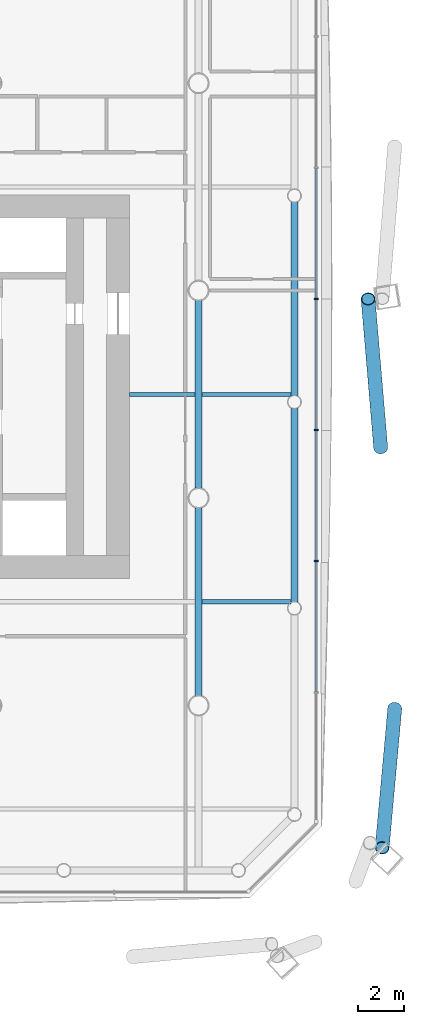
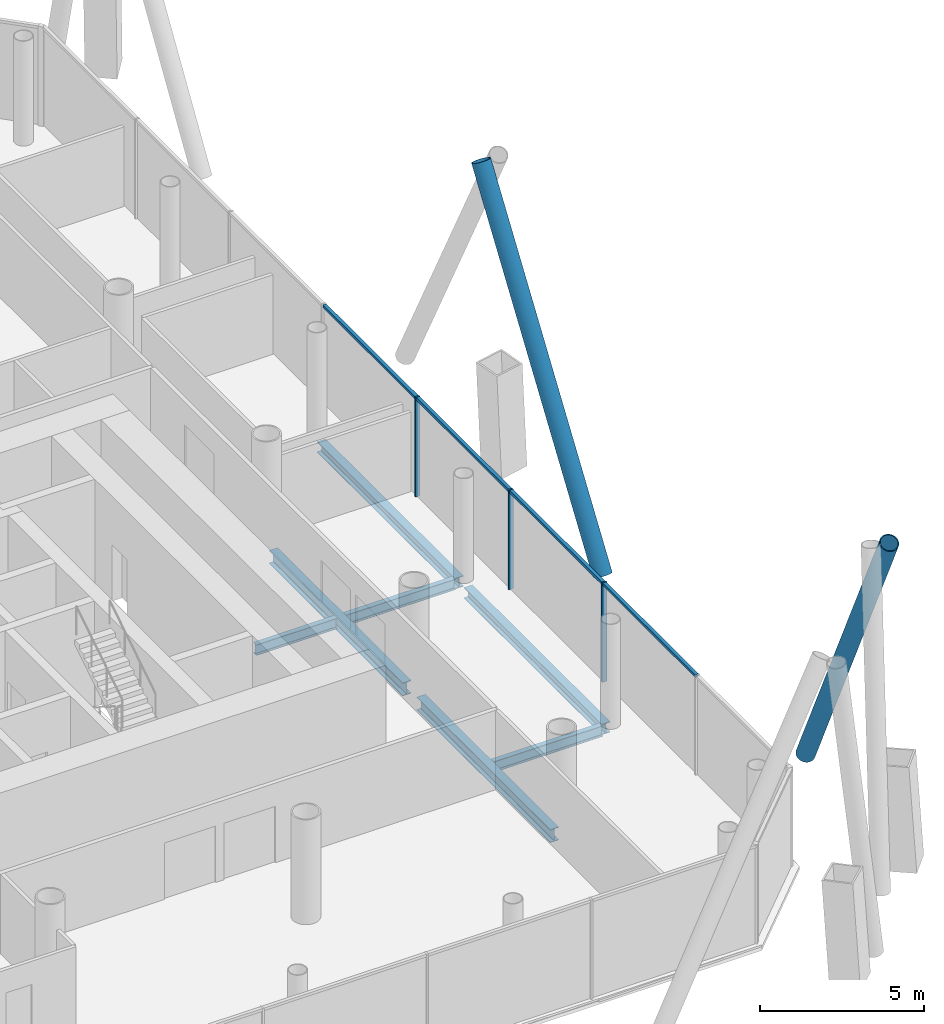
# One storey, part 6 of 21: 9 members, 7 beams, 1 element without a shape of its own.
"""IFC4 building model written with IfcOpenShell, lengths in metres."""

from ifc_helpers import new_model, si_unit, direction, frame, origin, origin_2d, place, context, subcontext, project, spatial, rectangle, hollow_circle, i_section, extrude, material, material_profile, profile_set, type_object, element, aggregate, save


model = new_model("IFC4")

# Units and contexts
model_context = context("Model", 3, precision=1e-05, world=origin(), true_north=direction((0.0, 1.0)))
body_context = subcontext(model_context, "Body", "Model", "MODEL_VIEW")
ifc_project = project(units=[si_unit("LENGTHUNIT", "METRE"), si_unit("AREAUNIT", "SQUARE_METRE"), si_unit("VOLUMEUNIT", "CUBIC_METRE"), si_unit("PLANEANGLEUNIT", "RADIAN"), si_unit("MASSUNIT", "GRAM", prefix="KILO")], contexts=[model_context])

# Site, building, storey
site_placement = place(None, origin())
site = spatial("IfcSite", under=ifc_project, at=site_placement, CompositionType="ELEMENT")
building_placement = place(site_placement, origin())
building = spatial("IfcBuilding", under=site, at=building_placement, Name="Tskaro Facet Tower", CompositionType="ELEMENT")
storey_placement = place(building_placement, frame((0.0, 0.0, 45.89990234375)))
storey = spatial("IfcBuildingStorey", under=building, at=storey_placement, Name="L10", CompositionType="ELEMENT", Elevation=45.89990234375)

# Members
ifc_material_1 = material(Name="Steel S355J2H", Category="steel")
ifc_material_profile_1 = material_profile(ifc_material_1, hollow_circle(Radius=0.304931640625, WallThickness=0.030029296875, at=origin_2d()), Name="CHS 610x30")
ifc_profile_set_1 = profile_set([ifc_material_profile_1], Name="Steel S355J2H")
member_type_1 = type_object("IfcMemberType", Name="CHS 610x30 brace", PredefinedType="BRACE", material=ifc_profile_set_1)
member_1_placement = place(storey_placement, frame((25.90185546875, -6.813720703125, 0.0), z_axis=(-0.040962973877, 0.482702280855, 0.874826007174), x_axis=(-0.996418571537, -0.084557851777, 0.0)))
element("IfcMember", 1, at=member_1_placement, inside=storey, type_object=member_type_1, Name="CHS 610x30 XB04A/1", PredefinedType="BRACE", context=body_context, shape_type="SweptSolid", body=[
    extrude(hollow_circle(Radius=0.304931640625, WallThickness=0.030029296875, at=origin_2d()), origin(), (0.0, 0.0, 1.0), 13.374267578125),
])
member_2_placement = place(storey_placement, frame((26.51171875, -18.135009765625, 0.0), z_axis=(-0.041545597616, -0.458613016926, 0.887664387043), x_axis=(0.995921840111, -0.090220221622, 0.0)))
element("IfcMember", 2, at=member_2_placement, inside=storey, type_object=member_type_1, Name="CHS 610x30 XB04B/1", PredefinedType="BRACE", context=body_context, shape_type="SweptSolid", body=[
    extrude(hollow_circle(Radius=0.304931640625, WallThickness=0.030029296875, at=origin_2d()), origin(), (0.0, 0.0, 1.0), 13.180908203125),
])

# Curtain wall, members
ifc_material_2 = material(Name="Bronze anodised aluminium 6063-T6", Category="aluminium")
curtain_wall_type = type_object("IfcCurtainWallType", Name="Bronze office curtain wall (FW1)", PredefinedType="NOTDEFINED", material=ifc_material_2)
curtain_wall_placement = place(storey_placement, origin())
curtain_wall = element("IfcCurtainWall", 3, at=curtain_wall_placement, inside=storey, type_object=curtain_wall_type, Name="FW1 east facet L10", PredefinedType="NOTDEFINED")
ifc_material_profile_2 = material_profile(ifc_material_2, rectangle(XDim=0.06005859375, YDim=0.159912109375, at=origin_2d()), Name="Mullion 60x160")
ifc_profile_set_2 = profile_set([ifc_material_profile_2], Name="Bronze anodised aluminium 6063-T6")
member_type_2 = type_object("IfcMemberType", Name="FW1 bronze mullion 60x160", PredefinedType="MULLION", material=ifc_profile_set_2)
member_3_placement = place(storey_placement, frame((23.10693359375, -11.740234375, 0.0), z_axis=(0.0, 0.0, 1.0), x_axis=(0.0, 1.0, 0.0)))
member_3 = element("IfcMember", 4, at=member_3_placement, type_object=member_type_2, Name="FW1 east mullion 2", PredefinedType="MULLION", context=body_context, shape_type="SweptSolid", body=[
    extrude(rectangle(XDim=0.06005859375, YDim=0.159912109375, at=origin_2d()), origin(), (0.0, 0.0, 1.0), 3.7001953125),
])
member_4_placement = place(storey_placement, frame((23.10693359375, -6.04931640625, 0.0), z_axis=(0.0, 0.0, 1.0), x_axis=(0.0, 1.0, 0.0)))
member_4 = element("IfcMember", 5, at=member_4_placement, type_object=member_type_2, Name="FW1 east mullion 3", PredefinedType="MULLION", context=body_context, shape_type="SweptSolid", body=[
    extrude(rectangle(XDim=0.06005859375, YDim=0.159912109375, at=origin_2d()), origin(), (0.0, 0.0, 1.0), 3.7001953125),
])
member_5_placement = place(storey_placement, frame((23.10693359375, -0.3583984375, 0.0), z_axis=(0.0, 0.0, 1.0), x_axis=(0.0, 1.0, 0.0)))
member_5 = element("IfcMember", 6, at=member_5_placement, type_object=member_type_2, Name="FW1 east mullion 4", PredefinedType="MULLION", context=body_context, shape_type="SweptSolid", body=[
    extrude(rectangle(XDim=0.06005859375, YDim=0.159912109375, at=origin_2d()), origin(), (0.0, 0.0, 1.0), 3.7001953125),
])
ifc_material_profile_3 = material_profile(ifc_material_2, rectangle(XDim=0.1201171875, YDim=0.10009765625, at=origin_2d()), Name="Transom 120x100")
ifc_profile_set_3 = profile_set([ifc_material_profile_3], Name="Bronze anodised aluminium 6063-T6")
member_type_3 = type_object("IfcMemberType", Name="FW1 bronze transom 120x100", PredefinedType="USERDEFINED", material=ifc_profile_set_3)
member_6_placement = place(storey_placement, frame((23.10693359375, -17.401123046875, 3.650146484375), z_axis=(0.0, 1.0, 0.0), x_axis=(-1.0, 0.0, 0.0)))
member_6 = element("IfcMember", 7, at=member_6_placement, type_object=member_type_3, Name="FW1 east transom 2.1", ObjectType="TRANSOM", PredefinedType="USERDEFINED", context=body_context, shape_type="SweptSolid", body=[
    extrude(rectangle(XDim=0.1201171875, YDim=0.10009765625, at=origin_2d()), origin(), (0.0, 0.0, 1.0), 5.630859375),
])
member_7_placement = place(storey_placement, frame((23.10693359375, -11.710205078125, 3.650146484375), z_axis=(0.0, 1.0, 0.0), x_axis=(-1.0, 0.0, 0.0)))
member_7 = element("IfcMember", 8, at=member_7_placement, type_object=member_type_3, Name="FW1 east transom 3.1", ObjectType="TRANSOM", PredefinedType="USERDEFINED", context=body_context, shape_type="SweptSolid", body=[
    extrude(rectangle(XDim=0.1201171875, YDim=0.10009765625, at=origin_2d()), origin(), (0.0, 0.0, 1.0), 5.630859375),
])
member_8_placement = place(storey_placement, frame((23.10693359375, -6.019287109375, 3.650146484375), z_axis=(0.0, 1.0, 0.0), x_axis=(-1.0, 0.0, 0.0)))
member_8 = element("IfcMember", 9, at=member_8_placement, type_object=member_type_3, Name="FW1 east transom 4.1", ObjectType="TRANSOM", PredefinedType="USERDEFINED", context=body_context, shape_type="SweptSolid", body=[
    extrude(rectangle(XDim=0.1201171875, YDim=0.10009765625, at=origin_2d()), origin(), (0.0, 0.0, 1.0), 5.630859375),
])
member_9_placement = place(storey_placement, frame((23.10693359375, -0.32861328125, 3.650146484375), z_axis=(0.0, 1.0, 0.0), x_axis=(-1.0, 0.0, 0.0)))
member_9 = element("IfcMember", 10, at=member_9_placement, type_object=member_type_3, Name="FW1 east transom 5.1", ObjectType="TRANSOM", PredefinedType="USERDEFINED", context=body_context, shape_type="SweptSolid", body=[
    extrude(rectangle(XDim=0.1201171875, YDim=0.10009765625, at=origin_2d()), origin(), (0.0, 0.0, 1.0), 5.631103515625),
])
aggregate(curtain_wall, [member_3, member_4, member_5, member_6, member_7, member_8, member_9])

# Beams
ifc_material_3 = material(Name="Steel S355J2", Category="steel")
ifc_material_profile_4 = material_profile(ifc_material_3, i_section(OverallWidth=0.300048828125, OverallDepth=0.39990234375, WebThickness=0.013427734375, FlangeThickness=0.02392578125, FilletRadius=0.027099609375, at=origin_2d()), Name="HE 400 B")
ifc_profile_set_4 = profile_set([ifc_material_profile_4], Name="Steel S355J2")
beam_type_1 = type_object("IfcBeamType", Name="HE 400 B ring beam", PredefinedType="BEAM", material=ifc_profile_set_4)
beam_1_placement = place(storey_placement, frame((22.156982421875, -13.506103515625, -0.33984375), z_axis=(0.0, 1.0, 0.0), x_axis=(-1.0, 0.0, 0.0)))
element("IfcBeam", 11, at=beam_1_placement, inside=storey, type_object=beam_type_1, Name="HE 400 B EB9-1", PredefinedType="BEAM", context=body_context, shape_type="SweptSolid", body=[
    extrude(i_section(OverallWidth=0.300048828125, OverallDepth=0.39990234375, WebThickness=0.013427734375, FlangeThickness=0.02392578125, FilletRadius=0.027099609375, at=origin_2d()), origin(), (0.0, 0.0, 1.0), 8.398193359375),
])
beam_2_placement = place(storey_placement, frame((22.156982421875, -4.55810546875, -0.33984375), z_axis=(0.0, 1.0, 0.0), x_axis=(-1.0, 0.0, 0.0)))
element("IfcBeam", 12, at=beam_2_placement, inside=storey, type_object=beam_type_1, Name="HE 400 B EB10-1", PredefinedType="BEAM", context=body_context, shape_type="SweptSolid", body=[
    extrude(i_section(OverallWidth=0.300048828125, OverallDepth=0.39990234375, WebThickness=0.013427734375, FlangeThickness=0.02392578125, FilletRadius=0.027099609375, at=origin_2d()), origin(), (0.0, 0.0, 1.0), 8.399169921875),
])
ifc_material_profile_5 = material_profile(ifc_material_3, i_section(OverallWidth=0.300048828125, OverallDepth=0.489990234375, WebThickness=0.011962890625, FlangeThickness=0.02294921875, FilletRadius=0.027099609375, at=origin_2d()), Name="HE 500 A")
ifc_profile_set_5 = profile_set([ifc_material_profile_5], Name="Steel S355J2")
beam_type_2 = type_object("IfcBeamType", Name="HE 500 A girder", PredefinedType="BEAM", material=ifc_profile_set_5)
for number, where, z_axis, x_axis, name in (
    (13, (18.0, -17.57275390625, -0.385009765625), (0.0, 1.0, 0.0), (-1.0, 0.0, 0.0), "HE 500 A GB6-2-1"),
    (14, (18.0, -8.57275390625, -0.385009765625), (0.0, 1.0, 0.0), (-1.0, 0.0, 0.0), "HE 500 A GB6-3-1"),
):
    element("IfcBeam", number, at=place(storey_placement, frame(where, z_axis=z_axis, x_axis=x_axis)), inside=storey, type_object=beam_type_2, Name=name, PredefinedType="BEAM", context=body_context, shape_type="SweptSolid", body=[
        extrude(i_section(OverallWidth=0.300048828125, OverallDepth=0.489990234375, WebThickness=0.011962890625, FlangeThickness=0.02294921875, FilletRadius=0.027099609375, at=origin_2d()), origin(), (0.0, 0.0, 1.0), 8.1455078125),
    ])
ifc_material_profile_6 = material_profile(ifc_material_3, i_section(OverallWidth=0.179931640625, OverallDepth=0.39990234375, WebThickness=0.008544921875, FlangeThickness=0.013427734375, FilletRadius=0.02099609375, at=origin_2d()), Name="IPE 400")
ifc_profile_set_6 = profile_set([ifc_material_profile_6], Name="Steel S355J2")
beam_type_3 = type_object("IfcBeamType", Name="IPE 400 secondary beam", PredefinedType="BEAM", material=ifc_profile_set_6)
beam_3_placement = place(storey_placement, frame((18.14990234375, -13.5, -0.33984375), z_axis=(1.0, 0.0, 0.0), x_axis=(0.0, 1.0, 0.0)))
element("IfcBeam", 15, at=beam_3_placement, inside=storey, type_object=beam_type_3, Name="IPE 400 SB2a-6-1", PredefinedType="BEAM", context=body_context, shape_type="SweptSolid", body=[
    extrude(i_section(OverallWidth=0.179931640625, OverallDepth=0.39990234375, WebThickness=0.008544921875, FlangeThickness=0.013427734375, FilletRadius=0.02099609375, at=origin_2d()), origin(), (0.0, 0.0, 1.0), 3.857177734375),
])
beam_4_placement = place(storey_placement, frame((15.0, -4.5, -0.33984375), z_axis=(1.0, 0.0, 0.0), x_axis=(0.0, 1.0, 0.0)))
element("IfcBeam", 16, at=beam_4_placement, inside=storey, type_object=beam_type_3, Name="IPE 400 SB3a-3-1", PredefinedType="BEAM", context=body_context, shape_type="SweptSolid", body=[
    extrude(i_section(OverallWidth=0.179931640625, OverallDepth=0.39990234375, WebThickness=0.008544921875, FlangeThickness=0.013427734375, FilletRadius=0.02099609375, at=origin_2d()), origin(), (0.0, 0.0, 1.0), 2.85009765625),
])
beam_5_placement = place(storey_placement, frame((18.14990234375, -4.5, -0.33984375), z_axis=(1.0, 0.0, 0.0), x_axis=(0.0, 1.0, 0.0)))
element("IfcBeam", 17, at=beam_5_placement, inside=storey, type_object=beam_type_3, Name="IPE 400 SB3a-4-1", PredefinedType="BEAM", context=body_context, shape_type="SweptSolid", body=[
    extrude(i_section(OverallWidth=0.179931640625, OverallDepth=0.39990234375, WebThickness=0.008544921875, FlangeThickness=0.013427734375, FilletRadius=0.02099609375, at=origin_2d()), origin(), (0.0, 0.0, 1.0), 3.857177734375),
])

save(model, "model.ifc")
